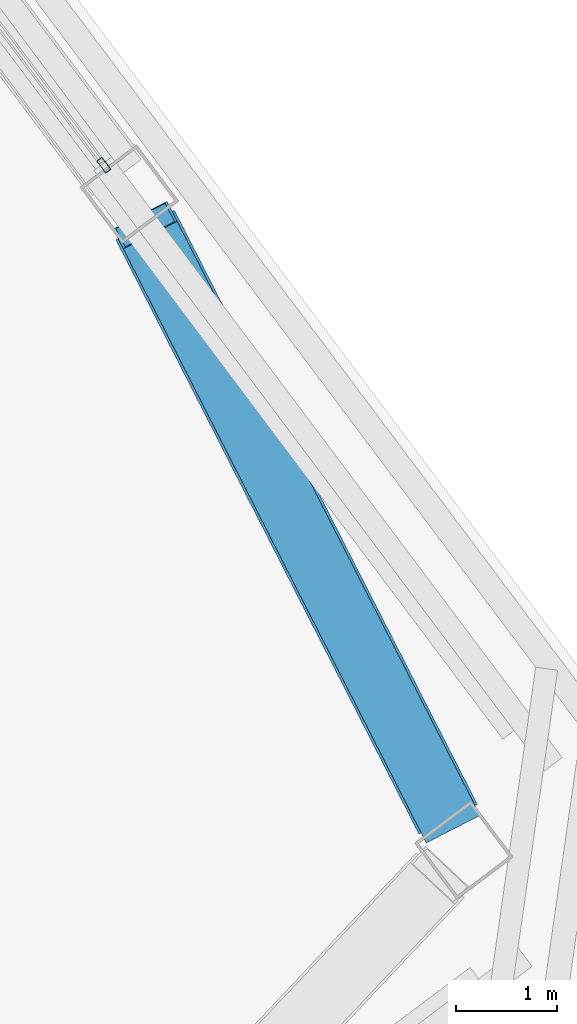
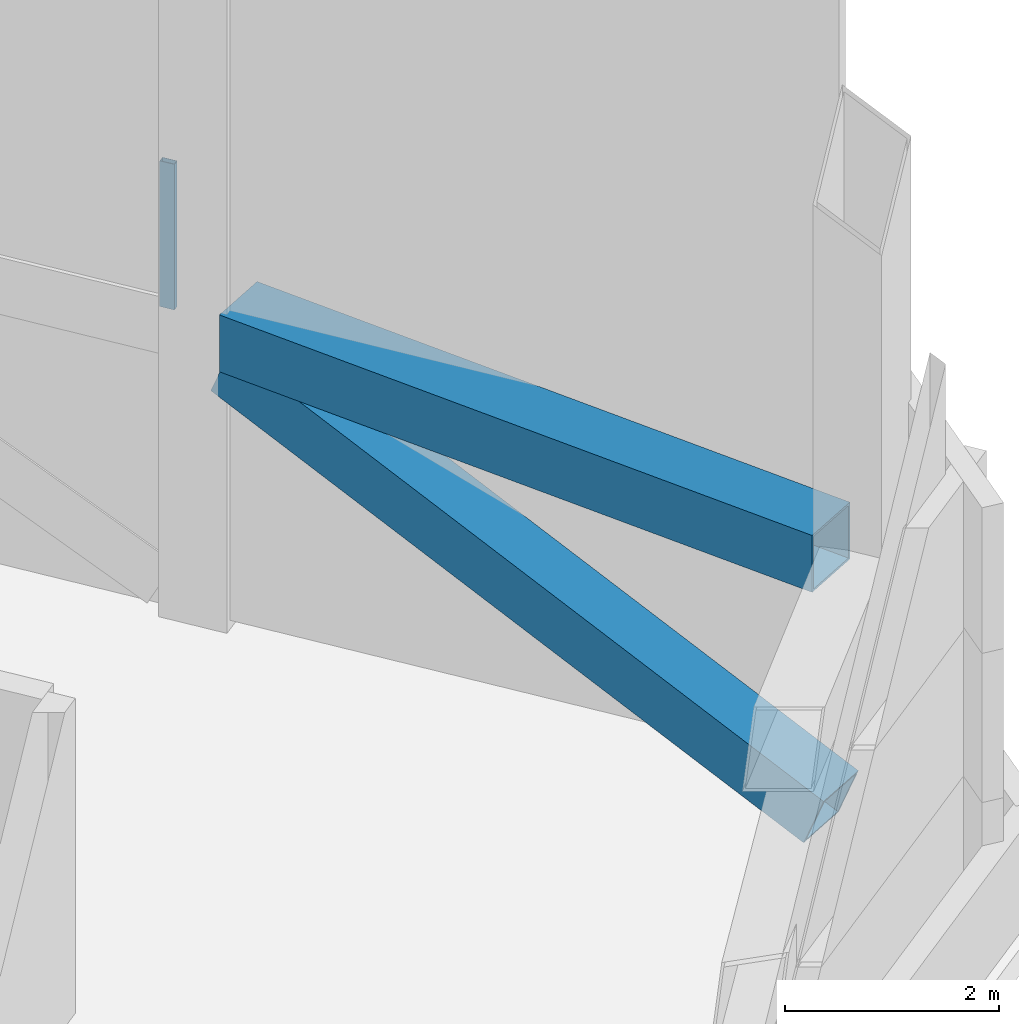
# One storey, part 22 of 37: 2 members, 1 beam, 1 element without a shape of its own.
"""IFC4 building model written with IfcOpenShell, lengths in metres."""

from ifc_helpers import new_model, si_unit, direction, frame, origin, origin_2d, place, context, subcontext, project, spatial, hollow_rectangle, extrude, material, material_profile, profile_set, type_object, element, aggregate, save


model = new_model("IFC4")

# Units and contexts
model_context = context("Model", 3, precision=1e-05, world=origin(), true_north=direction((0.0, 1.0)))
body_context = subcontext(model_context, "Body", "Model", "MODEL_VIEW")
ifc_project = project(units=[si_unit("LENGTHUNIT", "METRE"), si_unit("AREAUNIT", "SQUARE_METRE"), si_unit("VOLUMEUNIT", "CUBIC_METRE"), si_unit("PLANEANGLEUNIT", "RADIAN"), si_unit("MASSUNIT", "GRAM", prefix="KILO")], contexts=[model_context])

# Site, building, storey
site_placement = place(None, origin())
site = spatial("IfcSite", under=ifc_project, at=site_placement, CompositionType="ELEMENT")
building_placement = place(site_placement, origin())
building = spatial("IfcBuilding", under=site, at=building_placement, Name="Tashvorn Skyway Center", CompositionType="ELEMENT")
storey_placement = place(building_placement, frame((0.0, 0.0, 263.39990234375)))
storey = spatial("IfcBuildingStorey", under=building, at=storey_placement, Name="L71", CompositionType="ELEMENT", Elevation=263.39990234375)

# Beam
ifc_material_1 = material(Name="Steel ASTM A572 Grade 50", Category="steel")
ifc_material_profile_1 = material_profile(ifc_material_1, hollow_rectangle(XDim=0.64990234375, YDim=0.64990234375, WallThickness=0.02490234375, at=origin_2d()), Name="BOX650x650x25")
ifc_profile_set_1 = profile_set([ifc_material_profile_1], Name="Steel ASTM A572 Grade 50")
beam_type = type_object("IfcBeamType", Name="BM-BEAM-BOX650x650x25", PredefinedType="BEAM", material=ifc_profile_set_1)
beam_placement = place(storey_placement, frame((131.483154296875, 29.787353515625, 3.316650390625), z_axis=(-0.454297683235, 0.890849939668, 0.0), x_axis=(-0.890849939668, -0.454297683235, 0.0)))
element("IfcBeam", 1, at=beam_placement, inside=storey, type_object=beam_type, Name="CROWN FRAME Tower 2 Lower-Tier Ring Beam 04", PredefinedType="BEAM", context=body_context, shape_type="SweptSolid", body=[
    extrude(hollow_rectangle(XDim=0.64990234375, YDim=0.64990234375, WallThickness=0.02490234375, at=origin_2d()), origin(), (0.0, 0.0, 1.0), 6.61767578125),
])

# Curtain wall, member
ifc_material_2 = material(Name="Thermally broken bronze-anodized aluminium 6063-T6", Category="aluminium")
curtain_wall_type = type_object("IfcCurtainWallType", Name="CW-CW-SKY", PredefinedType="NOTDEFINED", material=ifc_material_2)
curtain_wall_placement = place(storey_placement, origin())
curtain_wall = element("IfcCurtainWall", 2, at=curtain_wall_placement, inside=storey, type_object=curtain_wall_type, Name="CROWN Lantern Fritted Curtain Wall T2 E-3", PredefinedType="NOTDEFINED")
ifc_material_profile_2 = material_profile(ifc_material_2, hollow_rectangle(XDim=0.06494140625, YDim=0.14990234375, WallThickness=0.00390625, at=origin_2d()), Name="ALU-MULL-65x150")
ifc_profile_set_2 = profile_set([ifc_material_profile_2], Name="Thermally broken bronze-anodized aluminium 6063-T6")
member_type_1 = type_object("IfcMemberType", Name="CWM-CW-SKY", PredefinedType="MULLION", material=ifc_profile_set_2)
member_1_placement = place(storey_placement, frame((128.06640625, 36.278076171875, 3.330078125), z_axis=(0.0, 0.0, 1.0), x_axis=(0.799999999998, 0.600000000002, 0.0)))
member_1 = element("IfcMember", 3, at=member_1_placement, type_object=member_type_1, Name="CW-SKY mullion 3", PredefinedType="MULLION", context=body_context, shape_type="SweptSolid", body=[
    extrude(hollow_rectangle(XDim=0.06494140625, YDim=0.14990234375, WallThickness=0.00390625, at=origin_2d()), origin(), (0.0, 0.0, 1.0), 1.6650390625),
])
aggregate(curtain_wall, [member_1])

# Member
ifc_material_profile_3 = material_profile(ifc_material_1, hollow_rectangle(XDim=0.60009765625, YDim=0.60009765625, WallThickness=0.02490234375, at=origin_2d()), Name="BOX600x600x25")
ifc_profile_set_3 = profile_set([ifc_material_profile_3], Name="Steel ASTM A572 Grade 50")
member_type_2 = type_object("IfcMemberType", Name="MEM-CF-BRC-600", PredefinedType="BRACE", material=ifc_profile_set_3)
member_2_placement = place(storey_placement, frame((131.483154296875, 29.787353515625, 0.35009765625), z_axis=(-0.421811409985, 0.827146346996, 0.371354352416), x_axis=(-0.890849939668, -0.454297683235, 0.0)))
element("IfcMember", 4, at=member_2_placement, inside=storey, type_object=member_type_2, Name="CROWN FRAME Tower 2 Lower Portal Brace 04", PredefinedType="BRACE", context=body_context, shape_type="SweptSolid", body=[
    extrude(hollow_rectangle(XDim=0.60009765625, YDim=0.60009765625, WallThickness=0.02490234375, at=origin_2d()), origin(), (0.0, 0.0, 1.0), 7.127197265625),
])

save(model, "model.ifc")
